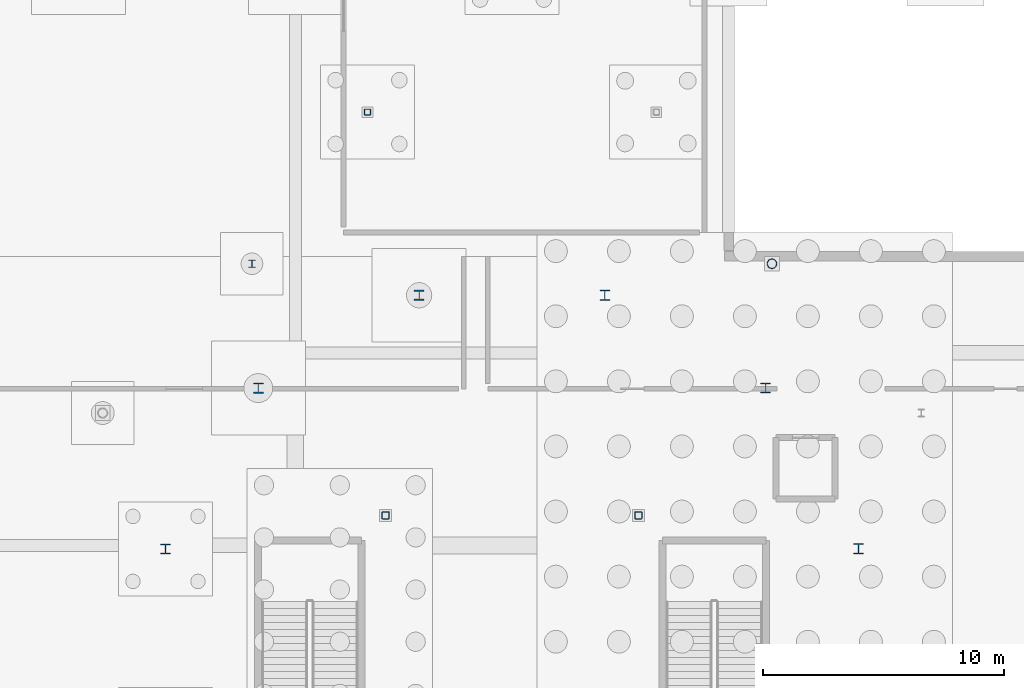
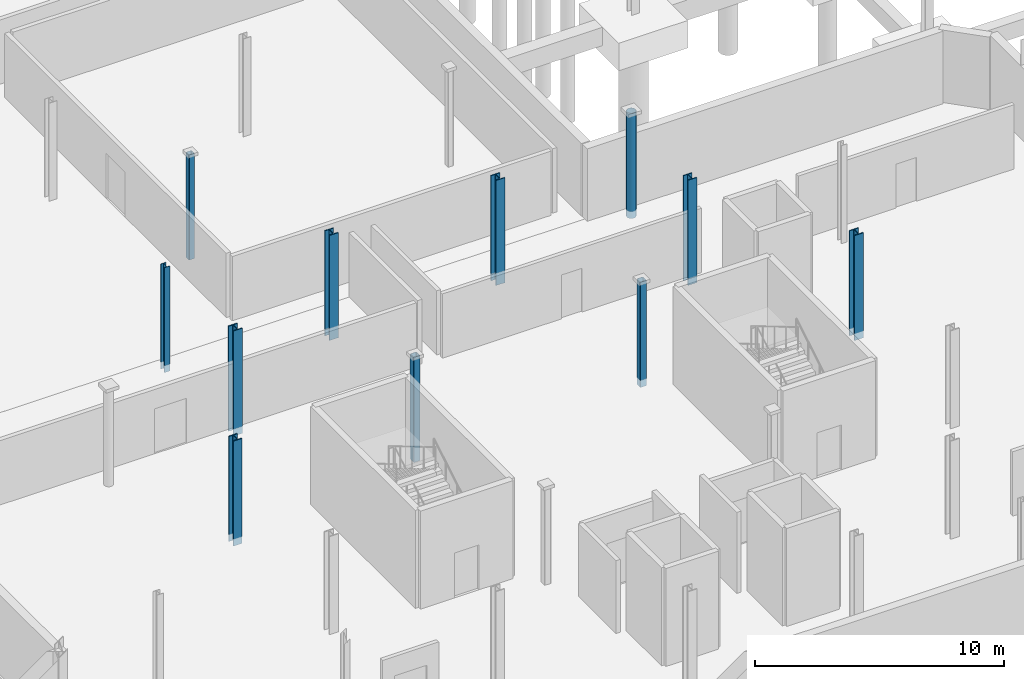
# One storey, part 17 of 37: 11 columns.
"""IFC4 building model written with IfcOpenShell, lengths in metres."""

from ifc_helpers import new_model, si_unit, direction, frame, origin, origin_2d, place, context, subcontext, project, spatial, hollow_rectangle, hollow_circle, i_section, extrude, material, material_profile, profile_set, type_object, element, save


model = new_model("IFC4")

# Units and contexts
model_context = context("Model", 3, precision=1e-05, world=origin(), true_north=direction((0.0, 1.0)))
body_context = subcontext(model_context, "Body", "Model", "MODEL_VIEW")
ifc_project = project(units=[si_unit("LENGTHUNIT", "METRE"), si_unit("AREAUNIT", "SQUARE_METRE"), si_unit("VOLUMEUNIT", "CUBIC_METRE"), si_unit("PLANEANGLEUNIT", "RADIAN"), si_unit("MASSUNIT", "GRAM", prefix="KILO"), si_unit("THERMODYNAMICTEMPERATUREUNIT", "KELVIN"), si_unit("POWERUNIT", "WATT")], contexts=[model_context])

# Site, building, storey
site_placement = place(None, origin())
site = spatial("IfcSite", under=ifc_project, at=site_placement, CompositionType="ELEMENT")
building_placement = place(site_placement, origin())
building = spatial("IfcBuilding", under=site, at=building_placement, Name="Zelmaris Science Centre", CompositionType="ELEMENT")
storey_placement = place(building_placement, frame((0.0, 0.0, -4.800048828125)))
storey = spatial("IfcBuildingStorey", under=building, at=storey_placement, Name="B1", CompositionType="ELEMENT", Elevation=-4.800048828125)

# Columns
ifc_material_1 = material(Name="Steel ASTM A992 Grade 50", Category="steel")
ifc_material_profile_1 = material_profile(ifc_material_1, i_section(OverallWidth=0.412109375, OverallDepth=0.43408203125, WebThickness=0.035888671875, FlangeThickness=0.044189453125, FilletRadius=0.014892578125, at=origin_2d()), Name="W14X311")
ifc_profile_set_1 = profile_set([ifc_material_profile_1], Name="Steel ASTM A992 Grade 50")
column_type_1 = type_object("IfcColumnType", Name="Column C-01 W14X311", PredefinedType="COLUMN", material=ifc_profile_set_1)
for number, where, z_axis, x_axis, name in (
    (1, (95.392333984375, 39.8564453125, -0.349853515625), (0.0, 0.0, 1.0), (1.0, 0.0, 0.0), "Column V2-MC01 B1"),
    (2, (84.8564453125, 50.392333984375, -0.349853515625), (0.0, 0.0, 1.0), (1.0, 0.0, 0.0), "Column V2-MC03 B1"),
    (3, (70.464111328125, 46.535888671875, -0.349853515625), (0.0, 0.0, 1.0), (1.0, 0.0, 0.0), "Column V2-MC05 B1"),
):
    element("IfcColumn", number, at=place(storey_placement, frame(where, z_axis=z_axis, x_axis=x_axis)), inside=storey, type_object=column_type_1, Name=name, PredefinedType="COLUMN", context=body_context, shape_type="SweptSolid", body=[
        extrude(i_section(OverallWidth=0.412109375, OverallDepth=0.43408203125, WebThickness=0.035888671875, FlangeThickness=0.044189453125, FilletRadius=0.014892578125, at=origin_2d()), origin(), (0.0, 0.0, 1.0), 5.14990234375),
    ])
ifc_material_profile_2 = material_profile(ifc_material_1, i_section(OverallWidth=0.406005859375, OverallDepth=0.4169921875, WebThickness=0.02978515625, FlangeThickness=0.04443359375, FilletRadius=0.014892578125, at=origin_2d()), Name="W14X257")
ifc_profile_set_2 = profile_set([ifc_material_profile_2], Name="Steel ASTM A992 Grade 50")
column_type_2 = type_object("IfcColumnType", Name="Column C-02 W14X257", PredefinedType="COLUMN", material=ifc_profile_set_2)
for number, where, z_axis, x_axis, name in (
    (4, (91.535888671875, 46.535888671875, -0.349853515625), (0.0, 0.0, 1.0), (1.0, 0.0, 0.0), "Column V2-MC02 B1"),
    (5, (77.1435546875, 50.392333984375, -0.349853515625), (0.0, 0.0, 1.0), (1.0, 0.0, 0.0), "Column V2-MC04 B1"),
    (6, (66.607666015625, 39.8564453125, -0.349853515625), (0.0, 0.0, 1.0), (1.0, 0.0, 0.0), "Column V2-MC06 B1"),
):
    element("IfcColumn", number, at=place(storey_placement, frame(where, z_axis=z_axis, x_axis=x_axis)), inside=storey, type_object=column_type_2, Name=name, PredefinedType="COLUMN", context=body_context, shape_type="SweptSolid", body=[
        extrude(i_section(OverallWidth=0.406005859375, OverallDepth=0.4169921875, WebThickness=0.02978515625, FlangeThickness=0.04443359375, FilletRadius=0.014892578125, at=origin_2d()), origin(), (0.0, 0.0, 1.0), 5.14990234375),
    ])
ifc_material_profile_3 = material_profile(ifc_material_1, i_section(OverallWidth=0.25390625, OverallDepth=0.306884765625, WebThickness=0.0087890625, FlangeThickness=0.0146484375, FilletRadius=0.012939453125, at=origin_2d()), Name="W12X53")
ifc_profile_set_3 = profile_set([ifc_material_profile_3], Name="Steel ASTM A992 Grade 50")
column_type_3 = type_object("IfcColumnType", Name="Column C-09 W12X53", PredefinedType="COLUMN", material=ifc_profile_set_3)
column_1_placement = place(storey_placement, frame((70.199951171875, 51.699951171875, -0.349853515625), z_axis=(0.0, 0.0, 1.0), x_axis=(1.0, 0.0, 0.0)))
element("IfcColumn", 7, at=column_1_placement, inside=storey, type_object=column_type_3, Name="Column V2-B1P06 B1", PredefinedType="COLUMN", context=body_context, shape_type="SweptSolid", body=[
    extrude(i_section(OverallWidth=0.25390625, OverallDepth=0.306884765625, WebThickness=0.0087890625, FlangeThickness=0.0146484375, FilletRadius=0.012939453125, at=origin_2d()), origin(), (0.0, 0.0, 1.0), 5.14990234375),
])
ifc_material_2 = material(Name="Steel ASTM A500 Grade C", Category="steel")
ifc_material_profile_4 = material_profile(ifc_material_2, hollow_rectangle(XDim=0.3046875, YDim=0.3046875, WallThickness=0.0146484375, InnerFilletRadius=0.0146484375, OuterFilletRadius=0.029296875, at=origin_2d()), Name="HSS305X305X16")
ifc_profile_set_4 = profile_set([ifc_material_profile_4], Name="Steel ASTM A500 Grade C")
column_type_4 = type_object("IfcColumnType", Name="Column C-10 HSS305X305X16", PredefinedType="COLUMN", material=ifc_profile_set_4)
for number, where, z_axis, x_axis, name in (
    (8, (86.25, 41.25, -0.349853515625), (0.0, 0.0, 1.0), (1.0, 0.0, 0.0), "Column V2-AC03 B1"),
    (9, (75.75, 41.25, -0.349853515625), (0.0, 0.0, 1.0), (1.0, 0.0, 0.0), "Column V2-AC04 B1"),
):
    element("IfcColumn", number, at=place(storey_placement, frame(where, z_axis=z_axis, x_axis=x_axis)), inside=storey, type_object=column_type_4, Name=name, PredefinedType="COLUMN", context=body_context, shape_type="SweptSolid", body=[
        extrude(hollow_rectangle(XDim=0.3046875, YDim=0.3046875, WallThickness=0.0146484375, InnerFilletRadius=0.0146484375, OuterFilletRadius=0.029296875, at=origin_2d()), origin(), (0.0, 0.0, 1.0), 5.14990234375),
    ])
ifc_material_profile_5 = material_profile(ifc_material_2, hollow_rectangle(XDim=0.25390625, YDim=0.25390625, WallThickness=0.01171875, InnerFilletRadius=0.01171875, OuterFilletRadius=0.023681640625, at=origin_2d()), Name="HSS254X254X13")
ifc_profile_set_5 = profile_set([ifc_material_profile_5], Name="Steel ASTM A500 Grade C")
column_type_5 = type_object("IfcColumnType", Name="Column C-11 HSS254X254X13", PredefinedType="COLUMN", material=ifc_profile_set_5)
column_2_placement = place(storey_placement, frame((75.0, 58.0, -0.349853515625), z_axis=(0.0, 0.0, 1.0), x_axis=(1.0, 0.0, 0.0)))
element("IfcColumn", 10, at=column_2_placement, inside=storey, type_object=column_type_5, Name="Column LK-N-75 B1", PredefinedType="COLUMN", context=body_context, shape_type="SweptSolid", body=[
    extrude(hollow_rectangle(XDim=0.25390625, YDim=0.25390625, WallThickness=0.01171875, InnerFilletRadius=0.01171875, OuterFilletRadius=0.023681640625, at=origin_2d()), origin(), (0.0, 0.0, 1.0), 5.14990234375),
])
ifc_material_profile_6 = material_profile(ifc_material_2, hollow_circle(Radius=0.203125, WallThickness=0.0146484375, at=origin_2d()), Name="CHS406X16")
ifc_profile_set_6 = profile_set([ifc_material_profile_6], Name="Steel ASTM A500 Grade C")
column_type_6 = type_object("IfcColumnType", Name="Column C-12 CHS406X16", PredefinedType="COLUMN", material=ifc_profile_set_6)
column_3_placement = place(storey_placement, frame((91.800048828125, 51.699951171875, -0.349853515625), z_axis=(0.0, 0.0, 1.0), x_axis=(1.0, 0.0, 0.0)))
element("IfcColumn", 11, at=column_3_placement, inside=storey, type_object=column_type_6, Name="Column V2-B1P05 B1", PredefinedType="COLUMN", context=body_context, shape_type="SweptSolid", body=[
    extrude(hollow_circle(Radius=0.203125, WallThickness=0.0146484375, at=origin_2d()), origin(), (0.0, 0.0, 1.0), 5.14990234375),
])

save(model, "model.ifc")
